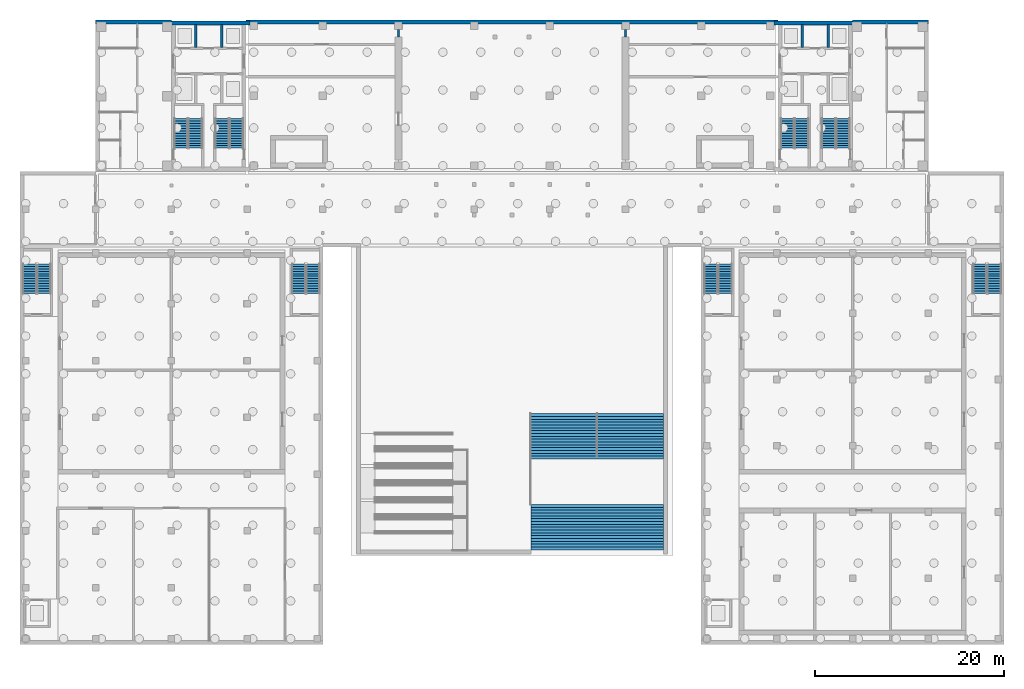
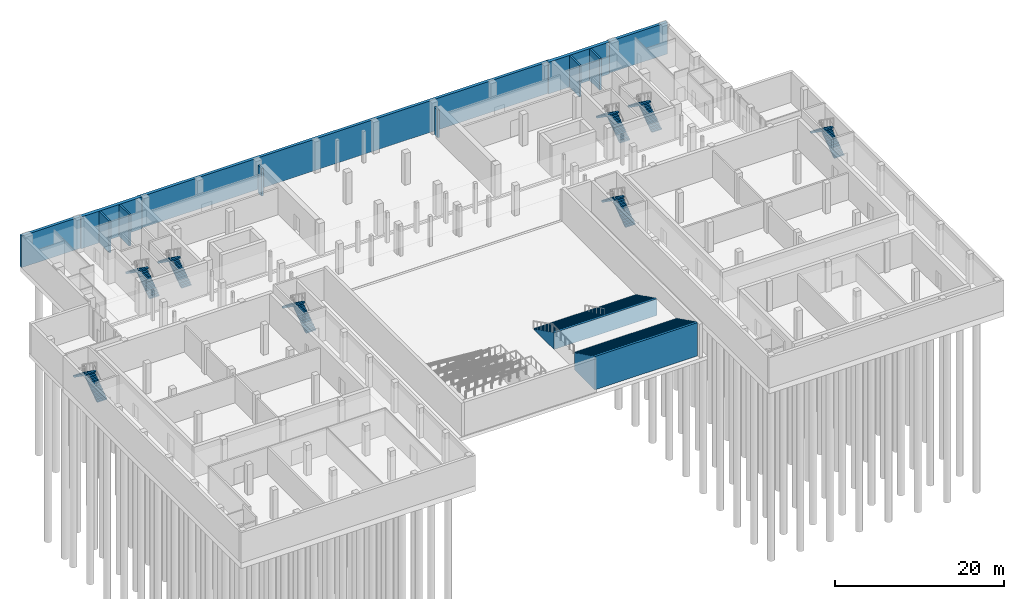
# One storey, part 10 of 21: 18 stair flights, 11 walls, 9 elements without a shape of their own.
"""IFC4 building model written with IfcOpenShell, lengths in metres."""

from ifc_helpers import new_model, si_unit, direction, frame, frame_2d, origin, place, context, subcontext, project, spatial, polyline, rectangle, outline, extrude, material, layer, layer_set, type_object, element, aggregate, save


model = new_model("IFC4")

# Units and contexts
model_context = context("Model", 3, precision=1e-05, world=origin(), true_north=direction((0.0, 1.0)))
body_context = subcontext(model_context, "Body", "Model", "MODEL_VIEW")
ifc_project = project(units=[si_unit("LENGTHUNIT", "METRE"), si_unit("AREAUNIT", "SQUARE_METRE"), si_unit("VOLUMEUNIT", "CUBIC_METRE"), si_unit("PLANEANGLEUNIT", "RADIAN"), si_unit("MASSUNIT", "GRAM", prefix="KILO")], contexts=[model_context])

# Site, building, storey
site_placement = place(None, origin())
site = spatial("IfcSite", under=ifc_project, at=site_placement, CompositionType="ELEMENT")
building_placement = place(site_placement, origin())
building = spatial("IfcBuilding", under=site, at=building_placement, Name="Lantern Court Media Centre", CompositionType="ELEMENT")
storey_placement = place(building_placement, frame((0.0, 0.0, -4.800048828125)))
storey = spatial("IfcBuildingStorey", under=building, at=storey_placement, Name="B1", CompositionType="ELEMENT", Elevation=-4.800048828125)

# Walls
ifc_material_1 = material(Name="Concrete blockwork C20", Category="masonry")
ifc_layer_1 = layer(ifc_material_1, 0.239990234375)
ifc_layer_set_1 = layer_set([ifc_layer_1], Name="Concrete blockwork C20")
wall_type_1 = type_object("IfcWallType", Name="Plant room acoustic fire wall 240", PredefinedType="PARTITIONING", material=ifc_layer_set_1)
for number, where, z_axis, x_axis, name in (
    (1, (64.0, 62.199951171875, 0.0), (0.0, 0.0, 1.0), (0.0, 1.0, 0.0), "B1 partition 035"),
    (2, (40.0, 62.199951171875, 0.0), (0.0, 0.0, 1.0), (0.0, 1.0, 0.0), "B1 partition 036"),
):
    element("IfcWall", number, at=place(storey_placement, frame(where, z_axis=z_axis, x_axis=x_axis)), inside=storey, type_object=wall_type_1, Name=name, PredefinedType="PARTITIONING", context=body_context, shape_type="SweptSolid", body=[
        extrude(rectangle(XDim=0.795166015625, YDim=0.239990234375, at=frame_2d((0.3974609375, 0.0))), origin(), (0.0, 0.0, 1.0), 3.97998046875),
    ])
ifc_material_2 = material(Name="Concrete C40", Category="concrete")
ifc_layer_2 = layer(ifc_material_2, 0.449951171875)
ifc_layer_set_2 = layer_set([ifc_layer_2], Name="Concrete C40")
wall_type_2 = type_object("IfcWallType", Name="RC BASEMENT CORE WALL 450", PredefinedType="SHEAR", material=ifc_layer_set_2)
for number, where, z_axis, x_axis, name in (
    (3, (16.0, 63.675048828125, 0.0), (0.0, 0.0, 1.0), (1.0, 0.0, 0.0), "WC-SW-B1-N"),
    (4, (79.699951171875, 63.675048828125, 0.0), (0.0, 0.0, 1.0), (1.0, 0.0, 0.0), "WC-SE-B1-N"),
):
    element("IfcWall", number, at=place(storey_placement, frame(where, z_axis=z_axis, x_axis=x_axis)), inside=storey, type_object=wall_type_2, Name=name, PredefinedType="SHEAR", context=body_context, shape_type="SweptSolid", body=[
        extrude(rectangle(XDim=8.300048828125, YDim=0.449951171875, at=frame_2d((4.14990234375, 0.0))), origin(), (0.0, 0.0, 1.0), 4.580078125),
    ])
ifc_material_3 = material(Name="Concrete C35", Category="concrete")
ifc_layer_3 = layer(ifc_material_3, 0.39990234375)
ifc_layer_set_3 = layer_set([ifc_layer_3], Name="Concrete C35")
wall_type_3 = type_object("IfcWallType", Name="RC RETAINING WALL 400", PredefinedType="SOLIDWALL", material=ifc_layer_set_3)
wall_1_placement = place(storey_placement, frame((8.0, 63.800048828125, 0.0), z_axis=(0.0, 0.0, 1.0), x_axis=(1.0, 0.0, 0.0)))
element("IfcWall", 5, at=wall_1_placement, inside=storey, type_object=wall_type_3, Name="WR-B1-4", PredefinedType="SOLIDWALL", context=body_context, shape_type="SweptSolid", body=[
    extrude(rectangle(XDim=8.0, YDim=0.39990234375, at=frame_2d((4.0, 0.0))), origin(), (0.0, 0.0, 1.0), 4.550048828125),
])
wall_2_placement = place(storey_placement, frame((23.89990234375, 63.800048828125, 0.0), z_axis=(0.0, 0.0, 1.0), x_axis=(1.0, 0.0, 0.0)))
element("IfcWall", 6, at=wall_2_placement, inside=storey, type_object=wall_type_3, Name="WR-B1-43", PredefinedType="SOLIDWALL", context=body_context, shape_type="SweptSolid", body=[
    extrude(rectangle(XDim=56.2001953125, YDim=0.39990234375, at=frame_2d((28.10009765625, 0.0))), origin(), (0.0, 0.0, 1.0), 4.550048828125),
])
wall_3_placement = place(storey_placement, frame((88.0, 63.800048828125, 0.0), z_axis=(0.0, 0.0, 1.0), x_axis=(1.0, 0.0, 0.0)))
element("IfcWall", 7, at=wall_3_placement, inside=storey, type_object=wall_type_3, Name="WR-B1-45", PredefinedType="SOLIDWALL", context=body_context, shape_type="SweptSolid", body=[
    extrude(rectangle(XDim=8.0, YDim=0.39990234375, at=frame_2d((4.0, 0.0))), origin(), (0.0, 0.0, 1.0), 4.550048828125),
])
ifc_layer_4 = layer(ifc_material_2, 0.25)
ifc_layer_set_4 = layer_set([ifc_layer_4], Name="Concrete C40")
wall_type_4 = type_object("IfcWallType", Name="RC lift shaft wall 250", PredefinedType="SOLIDWALL", material=ifc_layer_set_4)
for number, where, z_axis, x_axis, name in (
    (8, (18.574951171875, 61.10009765625, 0.0), (0.0, 0.0, 1.0), (0.0, 1.0, 0.0), "B1 SW L1b"),
    (9, (21.324951171875, 61.10009765625, 0.0), (0.0, 0.0, 1.0), (0.0, 1.0, 0.0), "B1 SW L2b"),
    (10, (85.425048828125, 61.10009765625, 0.0), (0.0, 0.0, 1.0), (0.0, 1.0, 0.0), "B1 SE L1b"),
    (11, (82.675048828125, 61.10009765625, 0.0), (0.0, 0.0, 1.0), (0.0, 1.0, 0.0), "B1 SE L2b"),
):
    element("IfcWall", number, at=place(storey_placement, frame(where, z_axis=z_axis, x_axis=x_axis)), inside=storey, type_object=wall_type_4, Name=name, PredefinedType="SOLIDWALL", context=body_context, shape_type="SweptSolid", body=[
        extrude(rectangle(XDim=2.449951171875, YDim=0.25, at=frame_2d((1.22509765625, 0.0))), origin(), (0.0, 0.0, 1.0), 4.550048828125),
    ])

# Stair, stair flights
ifc_material_4 = material(Name="Reinforced stone steps, Concrete C35", Category="masonry")
stair_type_1 = type_object("IfcStairType", Name="Forecourt amphitheatre steps", PredefinedType="NOTDEFINED", material=ifc_material_4)
stair_1_placement = place(storey_placement, origin())
stair_1 = element("IfcStair", 12, at=stair_1_placement, inside=storey, type_object=stair_type_1, Name="Forecourt amphitheatre steps", PredefinedType="NOTDEFINED")
stair_flight_type_1 = type_object("IfcStairFlightType", Name="Forecourt step flight", PredefinedType="STRAIGHT", material=ifc_material_4)
placement = place(building_placement, origin())
stair_flight_1_placement = place(placement, frame((61.0, 12.800048828125, -4.800048828125), z_axis=(0.0, 0.0, 1.0), x_axis=(0.0, -1.0, 0.0)))
stair_flight_1 = element("IfcStairFlight", 13, at=stair_flight_1_placement, type_object=stair_flight_type_1, Name="Forecourt steps upper flight", PredefinedType="STRAIGHT", context=body_context, shape_type="SweptSolid", body=[
    extrude(outline(polyline([(0.0, 0.0), (4.800048828125, 0.0), (4.800048828125, 4.800048828125), (4.5, 4.800048828125), (4.5, 4.650146484375), (4.199951171875, 4.650146484375), (4.199951171875, 4.5), (3.89990234375, 4.5), (3.89990234375, 4.35009765625), (3.60009765625, 4.35009765625), (3.60009765625, 4.199951171875), (3.300048828125, 4.199951171875), (3.300048828125, 4.050048828125), (3.0, 4.050048828125), (3.0, 3.900146484375), (2.699951171875, 3.900146484375), (2.699951171875, 3.75), (2.39990234375, 3.75), (2.39990234375, 3.60009765625), (2.10009765625, 3.60009765625), (2.10009765625, 3.449951171875), (1.800048828125, 3.449951171875), (1.800048828125, 3.300048828125), (1.5, 3.300048828125), (1.5, 3.150146484375), (1.199951171875, 3.150146484375), (1.199951171875, 3.0), (0.89990234375, 3.0), (0.89990234375, 2.85009765625), (0.60009765625, 2.85009765625), (0.60009765625, 2.699951171875), (0.300048828125, 2.699951171875), (0.300048828125, 2.550048828125), (0.0, 2.550048828125), (0.0, 0.0)])), frame((0.0, 7.0, 0.0), z_axis=(0.0, -1.0, 0.0), x_axis=(1.0, 0.0, 0.0)), (0.0, 0.0, 1.0), 14.0),
])
stair_flight_2_placement = place(storey_placement, frame((61.0, 22.39990234375, 0.0), z_axis=(0.0, 0.0, 1.0), x_axis=(0.0, -1.0, 0.0)))
stair_flight_2 = element("IfcStairFlight", 14, at=stair_flight_2_placement, type_object=stair_flight_type_1, Name="Forecourt steps lower flight", PredefinedType="STRAIGHT", context=body_context, shape_type="SweptSolid", body=[
    extrude(outline(polyline([(0.0, 0.0), (4.7998046875, 0.0), (4.800048828125, 2.400146484375), (4.5, 2.400146484375), (4.5, 2.25), (4.199951171875, 2.25), (4.199951171875, 2.10009765625), (3.89990234375, 2.10009765625), (3.89990234375, 1.949951171875), (3.60009765625, 1.949951171875), (3.60009765625, 1.800048828125), (3.300048828125, 1.800048828125), (3.300048828125, 1.650146484375), (3.0, 1.650146484375), (3.0, 1.5), (2.699951171875, 1.5), (2.699951171875, 1.35009765625), (2.39990234375, 1.35009765625), (2.39990234375, 1.199951171875), (2.10009765625, 1.199951171875), (2.10009765625, 1.050048828125), (1.800048828125, 1.050048828125), (1.800048828125, 0.900146484375), (1.5, 0.900146484375), (1.5, 0.75), (1.199951171875, 0.75), (1.199951171875, 0.60009765625), (0.89990234375, 0.60009765625), (0.89990234375, 0.449951171875), (0.60009765625, 0.449951171875), (0.60009765625, 0.300048828125), (0.300048828125, 0.300048828125), (0.300048828125, 0.150146484375), (0.0, 0.150146484375), (0.0, 0.0)])), frame((0.0, 7.0, 0.0), z_axis=(0.0, -1.0, 0.0), x_axis=(1.0, 0.0, 0.0)), (0.0, 0.0, 1.0), 14.0),
])
aggregate(stair_1, [stair_flight_1, stair_flight_2])

stair_type_2 = type_object("IfcStairType", Name="Exit stair 1350", PredefinedType="HALF_TURN_STAIR", material=ifc_material_2)
stair_2_placement = place(storey_placement, origin())
stair_2 = element("IfcStair", 15, at=stair_2_placement, inside=storey, type_object=stair_type_2, Name="B1 SW exit stair A", PredefinedType="HALF_TURN_STAIR")
stair_flight_type_2 = type_object("IfcStairFlightType", Name="Stair flight RC 1350", PredefinedType="STRAIGHT", material=ifc_material_2)
stair_flight_3_placement = place(storey_placement, frame((18.52490234375, 50.449951171875, 0.0), z_axis=(0.0, 0.0, 1.0), x_axis=(0.0, 1.0, 0.0)))
stair_flight_3 = element("IfcStairFlight", 16, at=stair_flight_3_placement, type_object=stair_flight_type_2, Name="ST-SWA flight 1", NumberOfRisers=13, NumberOfTreads=12, PredefinedType="STRAIGHT", RiserHeight=0.184615385, TreadLength=0.26, context=body_context, shape_type="SweptSolid", body=[
    extrude(outline(polyline([(0.0, 0.0), (0.0, 0.1845703125), (0.260009765625, 0.1845703125), (0.260009765625, 0.369140625), (0.52001953125, 0.369140625), (0.52001953125, 0.553955078125), (0.780029296875, 0.553955078125), (0.780029296875, 0.738525390625), (1.0400390625, 0.738525390625), (1.0400390625, 0.923095703125), (1.300048828125, 0.923095703125), (1.300048828125, 1.107666015625), (1.56005859375, 1.107666015625), (1.56005859375, 1.292236328125), (1.820068359375, 1.292236328125), (1.820068359375, 1.476806640625), (2.080078125, 1.476806640625), (2.080078125, 1.66162109375), (2.340087890625, 1.66162109375), (2.340087890625, 1.84619140625), (2.60009765625, 1.84619140625), (2.60009765625, 2.03076171875), (2.860107421875, 2.03076171875), (2.860107421875, 2.21533203125), (3.1201171875, 2.21533203125), (3.1201171875, 2.39990234375), (3.1201171875, 2.031494140625), (0.259033203125, 0.0), (0.0, 0.0)])), frame((0.0, 0.675048828125, 0.0), z_axis=(0.0, -1.0, 0.0), x_axis=(1.0, 0.0, 0.0)), (0.0, 0.0, 1.0), 1.35009765625),
])
stair_flight_4_placement = place(storey_placement, frame((17.02490234375, 53.570068359375, 2.400146484375), z_axis=(0.0, 0.0, 1.0), x_axis=(0.0, -1.0, 0.0)))
stair_flight_4 = element("IfcStairFlight", 17, at=stair_flight_4_placement, type_object=stair_flight_type_2, Name="ST-SWA flight 2", NumberOfRisers=13, NumberOfTreads=12, PredefinedType="STRAIGHT", RiserHeight=0.184615385, TreadLength=0.26, context=body_context, shape_type="SweptSolid", body=[
    extrude(outline(polyline([(0.0, 0.0), (0.0, 0.1845703125), (0.260009765625, 0.1845703125), (0.260009765625, 0.369140625), (0.52001953125, 0.369140625), (0.52001953125, 0.553955078125), (0.780029296875, 0.553955078125), (0.780029296875, 0.738525390625), (1.0400390625, 0.738525390625), (1.0400390625, 0.923095703125), (1.300048828125, 0.923095703125), (1.300048828125, 1.107666015625), (1.56005859375, 1.107666015625), (1.56005859375, 1.292236328125), (1.820068359375, 1.292236328125), (1.820068359375, 1.476806640625), (2.080078125, 1.476806640625), (2.080078125, 1.66162109375), (2.340087890625, 1.66162109375), (2.340087890625, 1.84619140625), (2.60009765625, 1.84619140625), (2.60009765625, 2.03076171875), (2.860107421875, 2.03076171875), (2.860107421875, 2.21533203125), (3.1201171875, 2.21533203125), (3.1201171875, 2.39990234375), (3.1201171875, 2.031494140625), (0.259033203125, 0.0), (0.0, 0.0)])), frame((0.0, 0.675048828125, 0.0), z_axis=(0.0, -1.0, 0.0), x_axis=(1.0, 0.0, 0.0)), (0.0, 0.0, 1.0), 1.35009765625),
])
aggregate(stair_2, [stair_flight_3, stair_flight_4])

stair_3_placement = place(storey_placement, origin())
stair_3 = element("IfcStair", 18, at=stair_3_placement, inside=storey, type_object=stair_type_2, Name="B1 SW exit stair B", PredefinedType="HALF_TURN_STAIR")
stair_flight_5_placement = place(storey_placement, frame((22.875, 50.449951171875, 0.0), z_axis=(0.0, 0.0, 1.0), x_axis=(0.0, 1.0, 0.0)))
stair_flight_5 = element("IfcStairFlight", 19, at=stair_flight_5_placement, type_object=stair_flight_type_2, Name="ST-SWB flight 1", NumberOfRisers=13, NumberOfTreads=12, PredefinedType="STRAIGHT", RiserHeight=0.184615385, TreadLength=0.26, context=body_context, shape_type="SweptSolid", body=[
    extrude(outline(polyline([(0.0, 0.0), (0.0, 0.1845703125), (0.260009765625, 0.1845703125), (0.260009765625, 0.369140625), (0.52001953125, 0.369140625), (0.52001953125, 0.553955078125), (0.780029296875, 0.553955078125), (0.780029296875, 0.738525390625), (1.0400390625, 0.738525390625), (1.0400390625, 0.923095703125), (1.300048828125, 0.923095703125), (1.300048828125, 1.107666015625), (1.56005859375, 1.107666015625), (1.56005859375, 1.292236328125), (1.820068359375, 1.292236328125), (1.820068359375, 1.476806640625), (2.080078125, 1.476806640625), (2.080078125, 1.66162109375), (2.340087890625, 1.66162109375), (2.340087890625, 1.84619140625), (2.60009765625, 1.84619140625), (2.60009765625, 2.03076171875), (2.860107421875, 2.03076171875), (2.860107421875, 2.21533203125), (3.1201171875, 2.21533203125), (3.1201171875, 2.39990234375), (3.1201171875, 2.031494140625), (0.259033203125, 0.0), (0.0, 0.0)])), frame((0.0, 0.675048828125, 0.0), z_axis=(0.0, -1.0, 0.0), x_axis=(1.0, 0.0, 0.0)), (0.0, 0.0, 1.0), 1.35009765625),
])
stair_flight_6_placement = place(storey_placement, frame((21.375, 53.570068359375, 2.400146484375), z_axis=(0.0, 0.0, 1.0), x_axis=(0.0, -1.0, 0.0)))
stair_flight_6 = element("IfcStairFlight", 20, at=stair_flight_6_placement, type_object=stair_flight_type_2, Name="ST-SWB flight 2", NumberOfRisers=13, NumberOfTreads=12, PredefinedType="STRAIGHT", RiserHeight=0.184615385, TreadLength=0.26, context=body_context, shape_type="SweptSolid", body=[
    extrude(outline(polyline([(0.0, 0.0), (0.0, 0.1845703125), (0.260009765625, 0.1845703125), (0.260009765625, 0.369140625), (0.52001953125, 0.369140625), (0.52001953125, 0.553955078125), (0.780029296875, 0.553955078125), (0.780029296875, 0.738525390625), (1.0400390625, 0.738525390625), (1.0400390625, 0.923095703125), (1.300048828125, 0.923095703125), (1.300048828125, 1.107666015625), (1.56005859375, 1.107666015625), (1.56005859375, 1.292236328125), (1.820068359375, 1.292236328125), (1.820068359375, 1.476806640625), (2.080078125, 1.476806640625), (2.080078125, 1.66162109375), (2.340087890625, 1.66162109375), (2.340087890625, 1.84619140625), (2.60009765625, 1.84619140625), (2.60009765625, 2.03076171875), (2.860107421875, 2.03076171875), (2.860107421875, 2.21533203125), (3.1201171875, 2.21533203125), (3.1201171875, 2.39990234375), (3.1201171875, 2.031494140625), (0.259033203125, 0.0), (0.0, 0.0)])), frame((0.0, 0.675048828125, 0.0), z_axis=(0.0, -1.0, 0.0), x_axis=(1.0, 0.0, 0.0)), (0.0, 0.0, 1.0), 1.35009765625),
])
aggregate(stair_3, [stair_flight_5, stair_flight_6])

stair_4_placement = place(storey_placement, origin())
stair_4 = element("IfcStair", 21, at=stair_4_placement, inside=storey, type_object=stair_type_2, Name="B1 SE exit stair A", PredefinedType="HALF_TURN_STAIR")
stair_flight_7_placement = place(storey_placement, frame((86.97509765625, 50.449951171875, 0.0), z_axis=(0.0, 0.0, 1.0), x_axis=(0.0, 1.0, 0.0)))
stair_flight_7 = element("IfcStairFlight", 22, at=stair_flight_7_placement, type_object=stair_flight_type_2, Name="ST-SEA flight 1", NumberOfRisers=13, NumberOfTreads=12, PredefinedType="STRAIGHT", RiserHeight=0.184615385, TreadLength=0.26, context=body_context, shape_type="SweptSolid", body=[
    extrude(outline(polyline([(0.0, 0.0), (0.0, 0.1845703125), (0.260009765625, 0.1845703125), (0.260009765625, 0.369140625), (0.52001953125, 0.369140625), (0.52001953125, 0.553955078125), (0.780029296875, 0.553955078125), (0.780029296875, 0.738525390625), (1.0400390625, 0.738525390625), (1.0400390625, 0.923095703125), (1.300048828125, 0.923095703125), (1.300048828125, 1.107666015625), (1.56005859375, 1.107666015625), (1.56005859375, 1.292236328125), (1.820068359375, 1.292236328125), (1.820068359375, 1.476806640625), (2.080078125, 1.476806640625), (2.080078125, 1.66162109375), (2.340087890625, 1.66162109375), (2.340087890625, 1.84619140625), (2.60009765625, 1.84619140625), (2.60009765625, 2.03076171875), (2.860107421875, 2.03076171875), (2.860107421875, 2.21533203125), (3.1201171875, 2.21533203125), (3.1201171875, 2.39990234375), (3.1201171875, 2.031494140625), (0.259033203125, 0.0), (0.0, 0.0)])), frame((0.0, 0.675048828125, 0.0), z_axis=(0.0, -1.0, 0.0), x_axis=(1.0, 0.0, 0.0)), (0.0, 0.0, 1.0), 1.35009765625),
])
stair_flight_8_placement = place(storey_placement, frame((85.47509765625, 53.570068359375, 2.400146484375), z_axis=(0.0, 0.0, 1.0), x_axis=(0.0, -1.0, 0.0)))
stair_flight_8 = element("IfcStairFlight", 23, at=stair_flight_8_placement, type_object=stair_flight_type_2, Name="ST-SEA flight 2", NumberOfRisers=13, NumberOfTreads=12, PredefinedType="STRAIGHT", RiserHeight=0.184615385, TreadLength=0.26, context=body_context, shape_type="SweptSolid", body=[
    extrude(outline(polyline([(0.0, 0.0), (0.0, 0.1845703125), (0.260009765625, 0.1845703125), (0.260009765625, 0.369140625), (0.52001953125, 0.369140625), (0.52001953125, 0.553955078125), (0.780029296875, 0.553955078125), (0.780029296875, 0.738525390625), (1.0400390625, 0.738525390625), (1.0400390625, 0.923095703125), (1.300048828125, 0.923095703125), (1.300048828125, 1.107666015625), (1.56005859375, 1.107666015625), (1.56005859375, 1.292236328125), (1.820068359375, 1.292236328125), (1.820068359375, 1.476806640625), (2.080078125, 1.476806640625), (2.080078125, 1.66162109375), (2.340087890625, 1.66162109375), (2.340087890625, 1.84619140625), (2.60009765625, 1.84619140625), (2.60009765625, 2.03076171875), (2.860107421875, 2.03076171875), (2.860107421875, 2.21533203125), (3.1201171875, 2.21533203125), (3.1201171875, 2.39990234375), (3.1201171875, 2.031494140625), (0.259033203125, 0.0), (0.0, 0.0)])), frame((0.0, 0.675048828125, 0.0), z_axis=(0.0, -1.0, 0.0), x_axis=(1.0, 0.0, 0.0)), (0.0, 0.0, 1.0), 1.35009765625),
])
aggregate(stair_4, [stair_flight_7, stair_flight_8])

stair_5_placement = place(storey_placement, origin())
stair_5 = element("IfcStair", 24, at=stair_5_placement, inside=storey, type_object=stair_type_2, Name="B1 SE exit stair B", PredefinedType="HALF_TURN_STAIR")
stair_flight_9_placement = place(storey_placement, frame((82.625, 50.449951171875, 0.0), z_axis=(0.0, 0.0, 1.0), x_axis=(0.0, 1.0, 0.0)))
stair_flight_9 = element("IfcStairFlight", 25, at=stair_flight_9_placement, type_object=stair_flight_type_2, Name="ST-SEB flight 1", NumberOfRisers=13, NumberOfTreads=12, PredefinedType="STRAIGHT", RiserHeight=0.184615385, TreadLength=0.26, context=body_context, shape_type="SweptSolid", body=[
    extrude(outline(polyline([(0.0, 0.0), (0.0, 0.1845703125), (0.260009765625, 0.1845703125), (0.260009765625, 0.369140625), (0.52001953125, 0.369140625), (0.52001953125, 0.553955078125), (0.780029296875, 0.553955078125), (0.780029296875, 0.738525390625), (1.0400390625, 0.738525390625), (1.0400390625, 0.923095703125), (1.300048828125, 0.923095703125), (1.300048828125, 1.107666015625), (1.56005859375, 1.107666015625), (1.56005859375, 1.292236328125), (1.820068359375, 1.292236328125), (1.820068359375, 1.476806640625), (2.080078125, 1.476806640625), (2.080078125, 1.66162109375), (2.340087890625, 1.66162109375), (2.340087890625, 1.84619140625), (2.60009765625, 1.84619140625), (2.60009765625, 2.03076171875), (2.860107421875, 2.03076171875), (2.860107421875, 2.21533203125), (3.1201171875, 2.21533203125), (3.1201171875, 2.39990234375), (3.1201171875, 2.031494140625), (0.259033203125, 0.0), (0.0, 0.0)])), frame((0.0, 0.675048828125, 0.0), z_axis=(0.0, -1.0, 0.0), x_axis=(1.0, 0.0, 0.0)), (0.0, 0.0, 1.0), 1.35009765625),
])
stair_flight_10_placement = place(storey_placement, frame((81.125, 53.570068359375, 2.400146484375), z_axis=(0.0, 0.0, 1.0), x_axis=(0.0, -1.0, 0.0)))
stair_flight_10 = element("IfcStairFlight", 26, at=stair_flight_10_placement, type_object=stair_flight_type_2, Name="ST-SEB flight 2", NumberOfRisers=13, NumberOfTreads=12, PredefinedType="STRAIGHT", RiserHeight=0.184615385, TreadLength=0.26, context=body_context, shape_type="SweptSolid", body=[
    extrude(outline(polyline([(0.0, 0.0), (0.0, 0.1845703125), (0.260009765625, 0.1845703125), (0.260009765625, 0.369140625), (0.52001953125, 0.369140625), (0.52001953125, 0.553955078125), (0.780029296875, 0.553955078125), (0.780029296875, 0.738525390625), (1.0400390625, 0.738525390625), (1.0400390625, 0.923095703125), (1.300048828125, 0.923095703125), (1.300048828125, 1.107666015625), (1.56005859375, 1.107666015625), (1.56005859375, 1.292236328125), (1.820068359375, 1.292236328125), (1.820068359375, 1.476806640625), (2.080078125, 1.476806640625), (2.080078125, 1.66162109375), (2.340087890625, 1.66162109375), (2.340087890625, 1.84619140625), (2.60009765625, 1.84619140625), (2.60009765625, 2.03076171875), (2.860107421875, 2.03076171875), (2.860107421875, 2.21533203125), (3.1201171875, 2.21533203125), (3.1201171875, 2.39990234375), (3.1201171875, 2.031494140625), (0.259033203125, 0.0), (0.0, 0.0)])), frame((0.0, 0.675048828125, 0.0), z_axis=(0.0, -1.0, 0.0), x_axis=(1.0, 0.0, 0.0)), (0.0, 0.0, 1.0), 1.35009765625),
])
aggregate(stair_5, [stair_flight_9, stair_flight_10])

stair_6_placement = place(storey_placement, origin())
stair_6 = element("IfcStair", 27, at=stair_6_placement, inside=storey, type_object=stair_type_2, Name="B1 V1-ST-W exit stair", PredefinedType="HALF_TURN_STAIR")
stair_flight_11_placement = place(storey_placement, frame((2.52490234375, 35.10009765625, 0.0), z_axis=(0.0, 0.0, 1.0), x_axis=(0.0, 1.0, 0.0)))
stair_flight_11 = element("IfcStairFlight", 28, at=stair_flight_11_placement, type_object=stair_flight_type_2, Name="ST-V1-ST-W flight 1", NumberOfRisers=13, NumberOfTreads=12, PredefinedType="STRAIGHT", RiserHeight=0.184615385, TreadLength=0.26, context=body_context, shape_type="SweptSolid", body=[
    extrude(outline(polyline([(0.0, 0.0), (0.0, 0.1845703125), (0.260009765625, 0.1845703125), (0.260009765625, 0.369140625), (0.52001953125, 0.369140625), (0.52001953125, 0.553955078125), (0.780029296875, 0.553955078125), (0.780029296875, 0.738525390625), (1.0400390625, 0.738525390625), (1.0400390625, 0.923095703125), (1.300048828125, 0.923095703125), (1.300048828125, 1.107666015625), (1.56005859375, 1.107666015625), (1.56005859375, 1.292236328125), (1.820068359375, 1.292236328125), (1.820068359375, 1.476806640625), (2.080078125, 1.476806640625), (2.080078125, 1.66162109375), (2.340087890625, 1.66162109375), (2.340087890625, 1.84619140625), (2.60009765625, 1.84619140625), (2.60009765625, 2.03076171875), (2.860107421875, 2.03076171875), (2.860107421875, 2.21533203125), (3.1201171875, 2.21533203125), (3.1201171875, 2.39990234375), (3.1201171875, 2.031494140625), (0.259033203125, 0.0), (0.0, 0.0)])), frame((0.0, 0.675048828125, 0.0), z_axis=(0.0, -1.0, 0.0), x_axis=(1.0, 0.0, 0.0)), (0.0, 0.0, 1.0), 1.35009765625),
])
stair_flight_12_placement = place(storey_placement, frame((1.02490234375, 38.219970703125, 2.400146484375), z_axis=(0.0, 0.0, 1.0), x_axis=(0.0, -1.0, 0.0)))
stair_flight_12 = element("IfcStairFlight", 29, at=stair_flight_12_placement, type_object=stair_flight_type_2, Name="ST-V1-ST-W flight 2", NumberOfRisers=13, NumberOfTreads=12, PredefinedType="STRAIGHT", RiserHeight=0.184615385, TreadLength=0.26, context=body_context, shape_type="SweptSolid", body=[
    extrude(outline(polyline([(0.0, 0.0), (0.0, 0.1845703125), (0.260009765625, 0.1845703125), (0.260009765625, 0.369140625), (0.52001953125, 0.369140625), (0.52001953125, 0.553955078125), (0.780029296875, 0.553955078125), (0.780029296875, 0.738525390625), (1.0400390625, 0.738525390625), (1.0400390625, 0.923095703125), (1.300048828125, 0.923095703125), (1.300048828125, 1.107666015625), (1.56005859375, 1.107666015625), (1.56005859375, 1.292236328125), (1.820068359375, 1.292236328125), (1.820068359375, 1.476806640625), (2.080078125, 1.476806640625), (2.080078125, 1.66162109375), (2.340087890625, 1.66162109375), (2.340087890625, 1.84619140625), (2.60009765625, 1.84619140625), (2.60009765625, 2.03076171875), (2.860107421875, 2.03076171875), (2.860107421875, 2.21533203125), (3.1201171875, 2.21533203125), (3.1201171875, 2.39990234375), (3.1201171875, 2.031494140625), (0.259033203125, 0.0), (0.0, 0.0)])), frame((0.0, 0.675048828125, 0.0), z_axis=(0.0, -1.0, 0.0), x_axis=(1.0, 0.0, 0.0)), (0.0, 0.0, 1.0), 1.35009765625),
])
aggregate(stair_6, [stair_flight_11, stair_flight_12])

stair_7_placement = place(storey_placement, origin())
stair_7 = element("IfcStair", 30, at=stair_7_placement, inside=storey, type_object=stair_type_2, Name="B1 V1-ST-E exit stair", PredefinedType="HALF_TURN_STAIR")
stair_flight_13_placement = place(storey_placement, frame((30.97509765625, 35.10009765625, 0.0), z_axis=(0.0, 0.0, 1.0), x_axis=(0.0, 1.0, 0.0)))
stair_flight_13 = element("IfcStairFlight", 31, at=stair_flight_13_placement, type_object=stair_flight_type_2, Name="ST-V1-ST-E flight 1", NumberOfRisers=13, NumberOfTreads=12, PredefinedType="STRAIGHT", RiserHeight=0.184615385, TreadLength=0.26, context=body_context, shape_type="SweptSolid", body=[
    extrude(outline(polyline([(0.0, 0.0), (0.0, 0.1845703125), (0.260009765625, 0.1845703125), (0.260009765625, 0.369140625), (0.52001953125, 0.369140625), (0.52001953125, 0.553955078125), (0.780029296875, 0.553955078125), (0.780029296875, 0.738525390625), (1.0400390625, 0.738525390625), (1.0400390625, 0.923095703125), (1.300048828125, 0.923095703125), (1.300048828125, 1.107666015625), (1.56005859375, 1.107666015625), (1.56005859375, 1.292236328125), (1.820068359375, 1.292236328125), (1.820068359375, 1.476806640625), (2.080078125, 1.476806640625), (2.080078125, 1.66162109375), (2.340087890625, 1.66162109375), (2.340087890625, 1.84619140625), (2.60009765625, 1.84619140625), (2.60009765625, 2.03076171875), (2.860107421875, 2.03076171875), (2.860107421875, 2.21533203125), (3.1201171875, 2.21533203125), (3.1201171875, 2.39990234375), (3.1201171875, 2.031494140625), (0.259033203125, 0.0), (0.0, 0.0)])), frame((0.0, 0.675048828125, 0.0), z_axis=(0.0, -1.0, 0.0), x_axis=(1.0, 0.0, 0.0)), (0.0, 0.0, 1.0), 1.35009765625),
])
stair_flight_14_placement = place(storey_placement, frame((29.47509765625, 38.219970703125, 2.400146484375), z_axis=(0.0, 0.0, 1.0), x_axis=(0.0, -1.0, 0.0)))
stair_flight_14 = element("IfcStairFlight", 32, at=stair_flight_14_placement, type_object=stair_flight_type_2, Name="ST-V1-ST-E flight 2", NumberOfRisers=13, NumberOfTreads=12, PredefinedType="STRAIGHT", RiserHeight=0.184615385, TreadLength=0.26, context=body_context, shape_type="SweptSolid", body=[
    extrude(outline(polyline([(0.0, 0.0), (0.0, 0.1845703125), (0.260009765625, 0.1845703125), (0.260009765625, 0.369140625), (0.52001953125, 0.369140625), (0.52001953125, 0.553955078125), (0.780029296875, 0.553955078125), (0.780029296875, 0.738525390625), (1.0400390625, 0.738525390625), (1.0400390625, 0.923095703125), (1.300048828125, 0.923095703125), (1.300048828125, 1.107666015625), (1.56005859375, 1.107666015625), (1.56005859375, 1.292236328125), (1.820068359375, 1.292236328125), (1.820068359375, 1.476806640625), (2.080078125, 1.476806640625), (2.080078125, 1.66162109375), (2.340087890625, 1.66162109375), (2.340087890625, 1.84619140625), (2.60009765625, 1.84619140625), (2.60009765625, 2.03076171875), (2.860107421875, 2.03076171875), (2.860107421875, 2.21533203125), (3.1201171875, 2.21533203125), (3.1201171875, 2.39990234375), (3.1201171875, 2.031494140625), (0.259033203125, 0.0), (0.0, 0.0)])), frame((0.0, 0.675048828125, 0.0), z_axis=(0.0, -1.0, 0.0), x_axis=(1.0, 0.0, 0.0)), (0.0, 0.0, 1.0), 1.35009765625),
])
aggregate(stair_7, [stair_flight_13, stair_flight_14])

stair_8_placement = place(storey_placement, origin())
stair_8 = element("IfcStair", 33, at=stair_8_placement, inside=storey, type_object=stair_type_2, Name="B1 V2-ST-W exit stair", PredefinedType="HALF_TURN_STAIR")
stair_flight_15_placement = place(storey_placement, frame((74.52490234375, 35.10009765625, 0.0), z_axis=(0.0, 0.0, 1.0), x_axis=(0.0, 1.0, 0.0)))
stair_flight_15 = element("IfcStairFlight", 34, at=stair_flight_15_placement, type_object=stair_flight_type_2, Name="ST-V2-ST-W flight 1", NumberOfRisers=13, NumberOfTreads=12, PredefinedType="STRAIGHT", RiserHeight=0.184615385, TreadLength=0.26, context=body_context, shape_type="SweptSolid", body=[
    extrude(outline(polyline([(0.0, 0.0), (0.0, 0.1845703125), (0.260009765625, 0.1845703125), (0.260009765625, 0.369140625), (0.52001953125, 0.369140625), (0.52001953125, 0.553955078125), (0.780029296875, 0.553955078125), (0.780029296875, 0.738525390625), (1.0400390625, 0.738525390625), (1.0400390625, 0.923095703125), (1.300048828125, 0.923095703125), (1.300048828125, 1.107666015625), (1.56005859375, 1.107666015625), (1.56005859375, 1.292236328125), (1.820068359375, 1.292236328125), (1.820068359375, 1.476806640625), (2.080078125, 1.476806640625), (2.080078125, 1.66162109375), (2.340087890625, 1.66162109375), (2.340087890625, 1.84619140625), (2.60009765625, 1.84619140625), (2.60009765625, 2.03076171875), (2.860107421875, 2.03076171875), (2.860107421875, 2.21533203125), (3.1201171875, 2.21533203125), (3.1201171875, 2.39990234375), (3.1201171875, 2.031494140625), (0.259033203125, 0.0), (0.0, 0.0)])), frame((0.0, 0.675048828125, 0.0), z_axis=(0.0, -1.0, 0.0), x_axis=(1.0, 0.0, 0.0)), (0.0, 0.0, 1.0), 1.35009765625),
])
stair_flight_16_placement = place(storey_placement, frame((73.02490234375, 38.219970703125, 2.400146484375), z_axis=(0.0, 0.0, 1.0), x_axis=(0.0, -1.0, 0.0)))
stair_flight_16 = element("IfcStairFlight", 35, at=stair_flight_16_placement, type_object=stair_flight_type_2, Name="ST-V2-ST-W flight 2", NumberOfRisers=13, NumberOfTreads=12, PredefinedType="STRAIGHT", RiserHeight=0.184615385, TreadLength=0.26, context=body_context, shape_type="SweptSolid", body=[
    extrude(outline(polyline([(0.0, 0.0), (0.0, 0.1845703125), (0.260009765625, 0.1845703125), (0.260009765625, 0.369140625), (0.52001953125, 0.369140625), (0.52001953125, 0.553955078125), (0.780029296875, 0.553955078125), (0.780029296875, 0.738525390625), (1.0400390625, 0.738525390625), (1.0400390625, 0.923095703125), (1.300048828125, 0.923095703125), (1.300048828125, 1.107666015625), (1.56005859375, 1.107666015625), (1.56005859375, 1.292236328125), (1.820068359375, 1.292236328125), (1.820068359375, 1.476806640625), (2.080078125, 1.476806640625), (2.080078125, 1.66162109375), (2.340087890625, 1.66162109375), (2.340087890625, 1.84619140625), (2.60009765625, 1.84619140625), (2.60009765625, 2.03076171875), (2.860107421875, 2.03076171875), (2.860107421875, 2.21533203125), (3.1201171875, 2.21533203125), (3.1201171875, 2.39990234375), (3.1201171875, 2.031494140625), (0.259033203125, 0.0), (0.0, 0.0)])), frame((0.0, 0.675048828125, 0.0), z_axis=(0.0, -1.0, 0.0), x_axis=(1.0, 0.0, 0.0)), (0.0, 0.0, 1.0), 1.35009765625),
])
aggregate(stair_8, [stair_flight_15, stair_flight_16])

stair_9_placement = place(storey_placement, origin())
stair_9 = element("IfcStair", 36, at=stair_9_placement, inside=storey, type_object=stair_type_2, Name="B1 V2-ST-E exit stair", PredefinedType="HALF_TURN_STAIR")
stair_flight_17_placement = place(storey_placement, frame((102.97509765625, 35.10009765625, 0.0), z_axis=(0.0, 0.0, 1.0), x_axis=(0.0, 1.0, 0.0)))
stair_flight_17 = element("IfcStairFlight", 37, at=stair_flight_17_placement, type_object=stair_flight_type_2, Name="ST-V2-ST-E flight 1", NumberOfRisers=13, NumberOfTreads=12, PredefinedType="STRAIGHT", RiserHeight=0.184615385, TreadLength=0.26, context=body_context, shape_type="SweptSolid", body=[
    extrude(outline(polyline([(0.0, 0.0), (0.0, 0.1845703125), (0.260009765625, 0.1845703125), (0.260009765625, 0.369140625), (0.52001953125, 0.369140625), (0.52001953125, 0.553955078125), (0.780029296875, 0.553955078125), (0.780029296875, 0.738525390625), (1.0400390625, 0.738525390625), (1.0400390625, 0.923095703125), (1.300048828125, 0.923095703125), (1.300048828125, 1.107666015625), (1.56005859375, 1.107666015625), (1.56005859375, 1.292236328125), (1.820068359375, 1.292236328125), (1.820068359375, 1.476806640625), (2.080078125, 1.476806640625), (2.080078125, 1.66162109375), (2.340087890625, 1.66162109375), (2.340087890625, 1.84619140625), (2.60009765625, 1.84619140625), (2.60009765625, 2.03076171875), (2.860107421875, 2.03076171875), (2.860107421875, 2.21533203125), (3.1201171875, 2.21533203125), (3.1201171875, 2.39990234375), (3.1201171875, 2.031494140625), (0.259033203125, 0.0), (0.0, 0.0)])), frame((0.0, 0.675048828125, 0.0), z_axis=(0.0, -1.0, 0.0), x_axis=(1.0, 0.0, 0.0)), (0.0, 0.0, 1.0), 1.35009765625),
])
stair_flight_18_placement = place(storey_placement, frame((101.47509765625, 38.219970703125, 2.400146484375), z_axis=(0.0, 0.0, 1.0), x_axis=(0.0, -1.0, 0.0)))
stair_flight_18 = element("IfcStairFlight", 38, at=stair_flight_18_placement, type_object=stair_flight_type_2, Name="ST-V2-ST-E flight 2", NumberOfRisers=13, NumberOfTreads=12, PredefinedType="STRAIGHT", RiserHeight=0.184615385, TreadLength=0.26, context=body_context, shape_type="SweptSolid", body=[
    extrude(outline(polyline([(0.0, 0.0), (0.0, 0.1845703125), (0.260009765625, 0.1845703125), (0.260009765625, 0.369140625), (0.52001953125, 0.369140625), (0.52001953125, 0.553955078125), (0.780029296875, 0.553955078125), (0.780029296875, 0.738525390625), (1.0400390625, 0.738525390625), (1.0400390625, 0.923095703125), (1.300048828125, 0.923095703125), (1.300048828125, 1.107666015625), (1.56005859375, 1.107666015625), (1.56005859375, 1.292236328125), (1.820068359375, 1.292236328125), (1.820068359375, 1.476806640625), (2.080078125, 1.476806640625), (2.080078125, 1.66162109375), (2.340087890625, 1.66162109375), (2.340087890625, 1.84619140625), (2.60009765625, 1.84619140625), (2.60009765625, 2.03076171875), (2.860107421875, 2.03076171875), (2.860107421875, 2.21533203125), (3.1201171875, 2.21533203125), (3.1201171875, 2.39990234375), (3.1201171875, 2.031494140625), (0.259033203125, 0.0), (0.0, 0.0)])), frame((0.0, 0.675048828125, 0.0), z_axis=(0.0, -1.0, 0.0), x_axis=(1.0, 0.0, 0.0)), (0.0, 0.0, 1.0), 1.35009765625),
])
aggregate(stair_9, [stair_flight_17, stair_flight_18])

save(model, "model.ifc")
